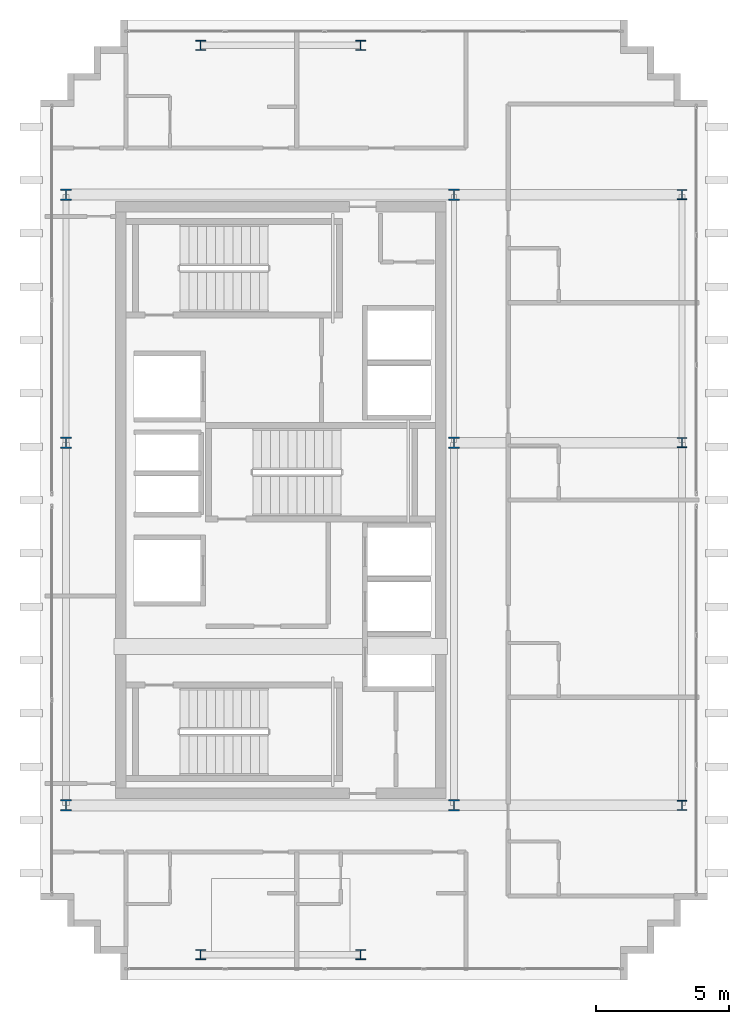
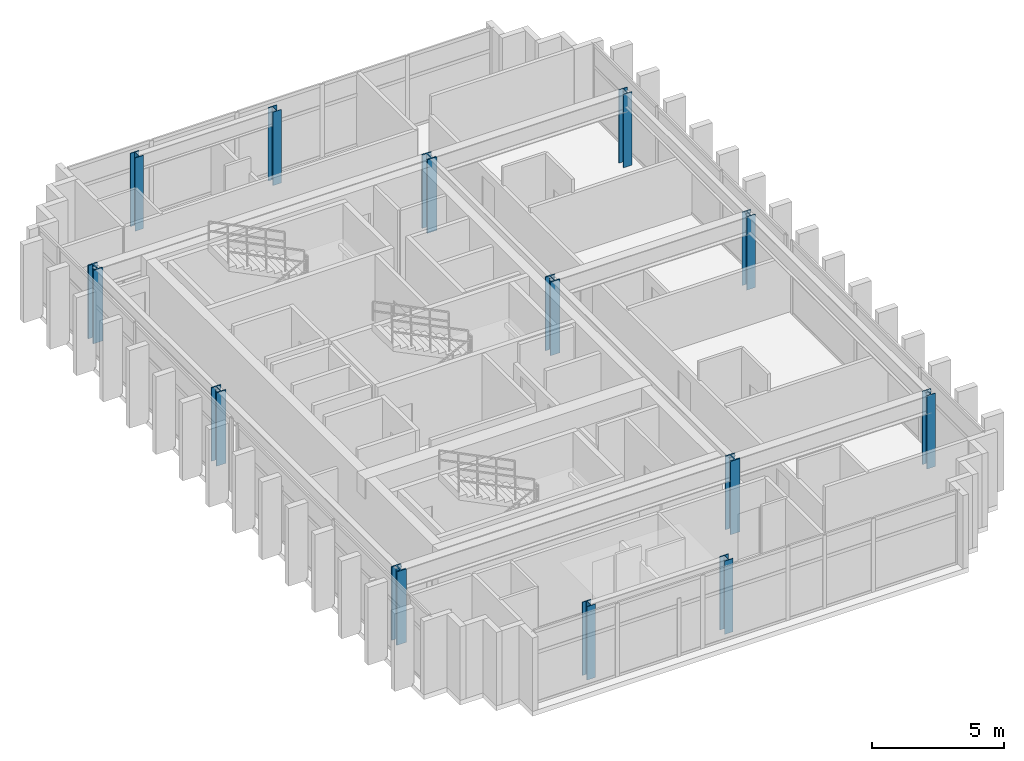
# One storey, part 1 of 15: 13 columns.
"""IFC4 building model written with IfcOpenShell, lengths in metres."""

from ifc_helpers import new_model, si_unit, direction, frame, origin, origin_2d, place, context, subcontext, project, spatial, i_section, extrude, source, transform, mapped, material, material_profile, profile_set, type_object, element, save


model = new_model("IFC4")

# Units and contexts
model_context = context("Model", 3, precision=1e-05, world=origin(), true_north=direction((0.0, 1.0)))
body_context = subcontext(model_context, "Body", "Model", "MODEL_VIEW")
ifc_project = project(units=[si_unit("LENGTHUNIT", "METRE"), si_unit("AREAUNIT", "SQUARE_METRE"), si_unit("VOLUMEUNIT", "CUBIC_METRE"), si_unit("PLANEANGLEUNIT", "RADIAN"), si_unit("MASSUNIT", "GRAM", prefix="KILO")], contexts=[model_context])

# Site, building, storey
site_placement = place(None, origin())
site = spatial("IfcSite", under=ifc_project, at=site_placement, CompositionType="ELEMENT")
building_placement = place(site_placement, origin())
building = spatial("IfcBuilding", under=site, at=building_placement, Name="Ocotamira Hotel", CompositionType="ELEMENT")
storey_placement = place(building_placement, frame((0.0, 0.0, 286.800048828125)))
storey = spatial("IfcBuildingStorey", under=building, at=storey_placement, Name="L73", CompositionType="ELEMENT", Elevation=286.800048828125)

# Columns
ifc_material_1 = material(Name="Steel ASTM A913 Grade 65", Category="steel")
ifc_material_profile_1 = material_profile(ifc_material_1, i_section(OverallWidth=0.412109375, OverallDepth=0.43505859375, WebThickness=0.035888671875, FlangeThickness=0.057373046875, FilletRadius=0.02490234375, at=origin_2d()), Name="W14X311")
ifc_profile_set_1 = profile_set([ifc_material_profile_1], Name="Steel ASTM A913 Grade 65")
column_type_1 = type_object("IfcColumnType", Name="COL-W14X311", PredefinedType="COLUMN", material=ifc_profile_set_1)
shared_shape_1 = source(origin(), body_context, "Body", "SweptSolid", [
    extrude(i_section(OverallWidth=0.412109375, OverallDepth=0.43505859375, WebThickness=0.035888671875, FlangeThickness=0.057373046875, FilletRadius=0.02490234375, at=origin_2d()), origin(), (0.0, 0.0, 1.0), 3.3798828125),
])
for number, where, z_axis, x_axis, name in (
    (1, (8.949951171875, 14.550048828125, 0.0), (0.0, 0.0, 1.0), (1.0, 0.0, 0.0), "L73 Column TW8_14"),
    (2, (23.5, 14.550048828125, 0.0), (0.0, 0.0, 1.0), (1.0, 0.0, 0.0), "L73 Column TW23_14"),
    (3, (8.949951171875, 28.14990234375, 0.0), (0.0, 0.0, 1.0), (1.0, 0.0, 0.0), "L73 Column TW8_28"),
    (4, (23.5, 28.14990234375, 0.0), (0.0, 0.0, 1.0), (1.0, 0.0, 0.0), "L73 Column TW23_28"),
    (5, (8.949951171875, 37.449951171875, 0.0), (0.0, 0.0, 1.0), (1.0, 0.0, 0.0), "L73 Column TW8_37"),
    (6, (23.5, 37.449951171875, 0.0), (0.0, 0.0, 1.0), (1.0, 0.0, 0.0), "L73 Column TW23_37"),
):
    element("IfcColumn", number, at=place(storey_placement, frame(where, z_axis=z_axis, x_axis=x_axis)), inside=storey, type_object=column_type_1, Name=name, PredefinedType="COLUMN", context=body_context, shape_type="MappedRepresentation", body=[
        mapped(shared_shape_1, transform((0.0, 0.0, 0.0), scale=1.0)),
    ])
ifc_material_2 = material(Name="Steel ASTM A992 Grade 50", Category="steel")
ifc_material_profile_2 = material_profile(ifc_material_2, i_section(OverallWidth=0.3740234375, OverallDepth=0.373046875, WebThickness=0.016357421875, FlangeThickness=0.026123046875, FilletRadius=0.02490234375, at=origin_2d()), Name="W14X132")
ifc_profile_set_2 = profile_set([ifc_material_profile_2], Name="Steel ASTM A992 Grade 50")
column_type_2 = type_object("IfcColumnType", Name="COL-W14X132", PredefinedType="COLUMN", material=ifc_profile_set_2)
shared_shape_2 = source(origin(), body_context, "Body", "SweptSolid", [
    extrude(i_section(OverallWidth=0.3740234375, OverallDepth=0.373046875, WebThickness=0.016357421875, FlangeThickness=0.026123046875, FilletRadius=0.02490234375, at=origin_2d()), origin(), (0.0, 0.0, 1.0), 3.3798828125),
])
for number, where, z_axis, x_axis, name in (
    (7, (14.0, 8.949951171875, 0.0), (0.0, 0.0, 1.0), (1.0, 0.0, 0.0), "L73 Column NSP1_14"),
    (8, (20.0, 8.949951171875, 0.0), (0.0, 0.0, 1.0), (1.0, 0.0, 0.0), "L73 Column NSP1_20"),
    (9, (14.0, 43.050048828125, 0.0), (0.0, 0.0, 1.0), (1.0, 0.0, 0.0), "L73 Column NSP2_14"),
    (10, (20.0, 43.050048828125, 0.0), (0.0, 0.0, 1.0), (1.0, 0.0, 0.0), "L73 Column NSP2_20"),
    (11, (32.050048828125, 14.550048828125, 0.0), (0.0, 0.0, 1.0), (1.0, 0.0, 0.0), "L73 Column WPE32_14"),
    (12, (32.050048828125, 28.14990234375, 0.0), (0.0, 0.0, 1.0), (1.0, 0.0, 0.0), "L73 Column WPE32_28"),
    (13, (32.050048828125, 37.449951171875, 0.0), (0.0, 0.0, 1.0), (1.0, 0.0, 0.0), "L73 Column WPE32_37"),
):
    element("IfcColumn", number, at=place(storey_placement, frame(where, z_axis=z_axis, x_axis=x_axis)), inside=storey, type_object=column_type_2, Name=name, PredefinedType="COLUMN", context=body_context, shape_type="MappedRepresentation", body=[
        mapped(shared_shape_2, transform((0.0, 0.0, 0.0), scale=1.0)),
    ])

save(model, "model.ifc")
